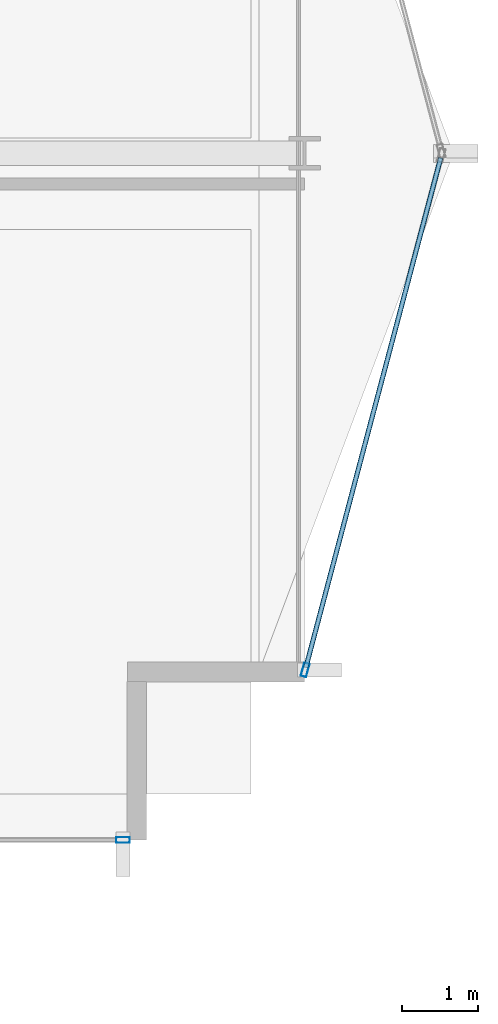
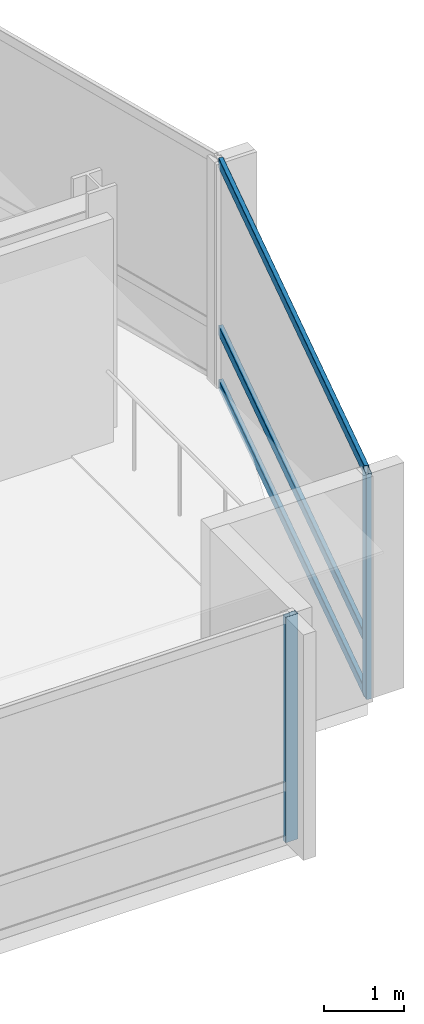
# One storey, part 11 of 28: 5 members, 2 elements without a shape of their own.
"""IFC4 building model written with IfcOpenShell, lengths in metres."""

import ifcopenshell
import ifcopenshell.guid

model = None  # the IFC model being written
_history = None  # IfcOwnerHistory: only IFC2X3 demands one
_inside = {}  # id of a spatial element -> (the spatial element, [elements in it])
_under = {}  # id of a project, library or spatial element -> (it, [spatial elements below it])
_declared = {}  # id of a project -> (the project, [libraries it declares])
_typed = {}  # id of a type object -> (the type object, [elements of that type])
_made_of = {}  # id of a material, layer set ... -> (it, [elements and type objects made of it])


def new_model(schema):
    """Start an empty IFC model of exactly this schema.

    Asked for "IFC4X3", IfcOpenShell would pick the latest addendum, in which some entities
    have other attributes; the version numbers below select the first issue.
    IFC2X3 requires an IfcOwnerHistory on every rooted entity: one is made here for all.
    """
    global model, _history
    if schema == "IFC4X3":
        model = ifcopenshell.file(schema_version=(4, 3, 0, 0))
    else:
        model = ifcopenshell.file(schema=schema)
    _inside.clear()
    _under.clear()
    _declared.clear()
    _typed.clear()
    _made_of.clear()
    _history = None
    if model.schema == "IFC2X3":
        org = make("IfcOrganization", Name="unknown")
        user = make(
            "IfcPersonAndOrganization",
            ThePerson=make("IfcPerson", FamilyName="unknown"),
            TheOrganization=org,
        )
        app = make(
            "IfcApplication",
            ApplicationDeveloper=org,
            Version="unknown",
            ApplicationFullName="unknown",
            ApplicationIdentifier="unknown",
        )
        _history = make(
            "IfcOwnerHistory",
            OwningUser=user,
            OwningApplication=app,
            ChangeAction="ADDED",
            CreationDate=0,
        )
    return model


def make(cls, **values):
    """One entity of the class cls with the attributes given. An attribute that is None is left unset."""
    return model.create_entity(
        cls, **{name: value for name, value in values.items() if value is not None}
    )


def rooted(cls, **values):
    """An entity with a GlobalId (a new one), such as an element, a storey or a relation."""
    return make(cls, GlobalId=ifcopenshell.guid.new(), OwnerHistory=_history, **values)


def si_unit(unit_type, name, prefix=None):
    """IfcSIUnit, for example si_unit("LENGTHUNIT", "METRE", prefix="MILLI")."""
    return make("IfcSIUnit", UnitType=unit_type, Prefix=prefix, Name=name)


def assignment(units):
    """IfcUnitAssignment: the units of a project."""
    return None if units is None else make("IfcUnitAssignment", Units=units)


def point(xyz):
    """IfcCartesianPoint."""
    return None if xyz is None else make("IfcCartesianPoint", Coordinates=xyz)


def direction(xyz):
    """IfcDirection."""
    return None if xyz is None else make("IfcDirection", DirectionRatios=xyz)


def frame(location, z_axis=None, x_axis=None):
    """IfcAxis2Placement3D, a coordinate frame: its origin and axes. An axis left out is left unset."""
    return make(
        "IfcAxis2Placement3D",
        Location=point(location),
        Axis=direction(z_axis),
        RefDirection=direction(x_axis),
    )


def frame_2d(location, x_axis=None):
    """IfcAxis2Placement2D, a coordinate frame in the plane: its origin and x axis."""
    return make(
        "IfcAxis2Placement2D", Location=point(location), RefDirection=direction(x_axis)
    )


def origin():
    """The frame at (0, 0, 0) with its axes left unset."""
    return frame((0.0, 0.0, 0.0))


def origin_2d():
    """The frame at (0, 0) in the plane with its x axis left unset."""
    return frame_2d((0.0, 0.0))


def place(relative_to, where):
    """IfcLocalPlacement: puts the frame where relative to a parent placement (None: the world)."""
    return make(
        "IfcLocalPlacement", PlacementRelTo=relative_to, RelativePlacement=where
    )


def context(
    kind, dimensions, precision=None, world=None, true_north=None, identifier=None
):
    """IfcGeometricRepresentationContext, for example the 3D "Model" context."""
    return make(
        "IfcGeometricRepresentationContext",
        ContextIdentifier=identifier,
        ContextType=kind,
        CoordinateSpaceDimension=dimensions,
        Precision=precision,
        WorldCoordinateSystem=world,
        TrueNorth=true_north,
    )


def subcontext(parent, identifier, kind, view, scale=None):
    """IfcGeometricRepresentationSubContext, for example "Body" below "Model"."""
    return make(
        "IfcGeometricRepresentationSubContext",
        ContextIdentifier=identifier,
        ContextType=kind,
        ParentContext=parent,
        TargetScale=scale,
        TargetView=view,
    )


def project(units=None, contexts=None):
    """IfcProject with its units and contexts."""
    return rooted(
        "IfcProject",
        Name="project",
        RepresentationContexts=contexts,
        UnitsInContext=assignment(units),
    )


def spatial(cls, under=None, at=None, **own):
    """A site, building, storey or space (cls), placed at a placement, below another one or the project."""
    s = rooted(cls, ObjectPlacement=at, **own)
    if under is not None:
        _under.setdefault(under.id(), (under, []))[1].append(s)
    return s


def profile(cls, at=None, kind="AREA", **sizes):
    """A parametric profile (cls). Its sizes go by their IFC names, for example OverallWidth=200.0."""
    return make(cls, ProfileType=kind, Position=at, **sizes)


def hollow_rectangle(**sizes):
    """IfcRectangleHollowProfileDef."""
    return profile("IfcRectangleHollowProfileDef", **sizes)


def extrude(swept, where, along, depth):
    """IfcExtrudedAreaSolid: the profile swept, set in the frame where, extruded along a direction by depth."""
    return make(
        "IfcExtrudedAreaSolid",
        SweptArea=swept,
        Position=where,
        ExtrudedDirection=direction(along),
        Depth=depth,
    )


def shape(context_of_items, identifier, shape_type, items):
    """IfcShapeRepresentation: the items that make up one representation, for example the "Body"."""
    return make(
        "IfcShapeRepresentation",
        ContextOfItems=context_of_items,
        RepresentationIdentifier=identifier,
        RepresentationType=shape_type,
        Items=items,
    )


def material(Name=None, Category=None):
    """IfcMaterial."""
    return make("IfcMaterial", Name=Name, Category=Category)


def layer(
    of_material, thickness, ventilated=None, Name=None, Category=None, Priority=None
):
    """IfcMaterialLayer: one layer of a wall or slab, of a material (None: an air gap)."""
    return make(
        "IfcMaterialLayer",
        Material=of_material,
        LayerThickness=thickness,
        IsVentilated=ventilated,
        Name=Name,
        Category=Category,
        Priority=Priority,
    )


def layer_set(layers, Name=None):
    """IfcMaterialLayerSet."""
    return make("IfcMaterialLayerSet", MaterialLayers=layers, LayerSetName=Name)


def material_profile(
    of_material, cross_section, Name=None, Category=None, Priority=None
):
    """IfcMaterialProfile: a cross section and its material."""
    return make(
        "IfcMaterialProfile",
        Name=Name,
        Material=of_material,
        Profile=cross_section,
        Priority=Priority,
        Category=Category,
    )


def profile_set(profiles, Name=None, composite=None):
    """IfcMaterialProfileSet."""
    return make(
        "IfcMaterialProfileSet",
        Name=Name,
        MaterialProfiles=profiles,
        CompositeProfile=composite,
    )


def made_of(thing, what):
    """Note that an element or type object is made of a material, layer set ...; save() writes the relation."""
    if what is not None:
        _made_of.setdefault(what.id(), (what, []))[1].append(thing)
    return thing


def type_object(cls, material=None, **own):
    """A type object (cls), such as IfcWallType, which elements share."""
    return made_of(rooted(cls, **own), material)


def element(
    cls,
    number,
    at=None,
    inside=None,
    cuts=None,
    type_object=None,
    material=None,
    context=None,
    identifier="Body",
    shape_type=None,
    held_by="IfcProductDefinitionShape",
    body=None,
    shapes=None,
    **own,
):
    """One element of the class cls, such as IfcWall. Its Tag is "e" and its number.

    at: its placement. inside: the storey or other place that contains it. cuts: it is an
    opening in that element (IfcRelVoidsElement). A single representation is given by context,
    identifier, shape_type and body (its items); several are given by shapes. held_by: the class
    of the entity that holds the representations. save() writes the other relations.
    """
    e = rooted(cls, Tag="e%d" % number, ObjectPlacement=at, **own)
    if body is not None:
        shapes = [shape(context, identifier, shape_type, body)]
    if shapes is not None:
        e.Representation = make(held_by, Representations=shapes)
    if inside is not None:
        _inside.setdefault(inside.id(), (inside, []))[1].append(e)
    if cuts is not None:
        rooted(
            "IfcRelVoidsElement", RelatingBuildingElement=cuts, RelatedOpeningElement=e
        )
    if type_object is not None:
        _typed.setdefault(type_object.id(), (type_object, []))[1].append(e)
    return made_of(e, material)


def aggregate(whole, parts):
    """IfcRelAggregates: a whole, such as a stair, and the parts it consists of."""
    return rooted("IfcRelAggregates", RelatingObject=whole, RelatedObjects=parts)


def save(model, path):
    """Write the relations noted so far, then the file.

    IfcRelAggregates (storeys below a building ...), IfcRelContainedInSpatialStructure (elements
    in a storey), IfcRelDefinesByType, IfcRelAssociatesMaterial and IfcRelDeclares: one each for
    every whole, place, type object, material and project.
    """
    for whole, parts in _under.values():
        aggregate(whole, parts)
    for where, things in _inside.values():
        rooted(
            "IfcRelContainedInSpatialStructure",
            RelatedElements=things,
            RelatingStructure=where,
        )
    for kind, things in _typed.values():
        rooted("IfcRelDefinesByType", RelatedObjects=things, RelatingType=kind)
    for what, things in _made_of.values():
        rooted("IfcRelAssociatesMaterial", RelatedObjects=things, RelatingMaterial=what)
    for by, libraries in _declared.values():
        rooted("IfcRelDeclares", RelatingContext=by, RelatedDefinitions=libraries)
    model.write(path)


model = new_model("IFC4")

# Units and contexts
model_context = context("Model", 3, precision=1e-05, world=origin(), true_north=direction((0.0, 1.0)))
body_context = subcontext(model_context, "Body", "Model", "MODEL_VIEW")
ifc_project = project(units=[si_unit("LENGTHUNIT", "METRE"), si_unit("AREAUNIT", "SQUARE_METRE"), si_unit("VOLUMEUNIT", "CUBIC_METRE"), si_unit("PLANEANGLEUNIT", "RADIAN"), si_unit("MASSUNIT", "GRAM", prefix="KILO")], contexts=[model_context])

# Site, building, storey
site_placement = place(None, origin())
site = spatial("IfcSite", under=ifc_project, at=site_placement, CompositionType="ELEMENT")
building_placement = place(site_placement, origin())
building = spatial("IfcBuilding", under=site, at=building_placement, Name="Solvaryn Broadcast Tower", CompositionType="ELEMENT")
storey_placement = place(building_placement, frame((0.0, 0.0, 158.10009765625)))
storey = spatial("IfcBuildingStorey", under=building, at=storey_placement, Name="L39", CompositionType="ELEMENT", Elevation=158.10009765625)

# Curtain wall, member
ifc_material_1 = material(Name="Aluminium and Terracotta Unitised Curtain Wall", Category="masonry")
ifc_layer = layer(ifc_material_1, 0.199951171875)
ifc_layer_set = layer_set([ifc_layer], Name="CW-SYS2-LOWMID")
curtain_wall_type = type_object("IfcCurtainWallType", Name="CW-SYS2-LOWMID", PredefinedType="NOTDEFINED", material=ifc_layer_set)
curtain_wall_1_placement = place(storey_placement, origin())
curtain_wall_1 = element("IfcCurtainWall", 1, at=curtain_wall_1_placement, inside=storey, type_object=curtain_wall_type, Name="L39 Curtain Wall S2", PredefinedType="NOTDEFINED")
ifc_material_2 = material(Name="Anodised Aluminium 6063-T6", Category="aluminium")
ifc_material_profile_1 = material_profile(ifc_material_2, hollow_rectangle(XDim=0.074951171875, YDim=0.179931640625, WallThickness=0.00390625, InnerFilletRadius=0.00390625, OuterFilletRadius=0.008056640625, at=origin_2d()))
ifc_profile_set_1 = profile_set([ifc_material_profile_1], Name="Anodised Aluminium 6063-T6")
member_type_1 = type_object("IfcMemberType", Name="CW-MUL-180", PredefinedType="MULLION", material=ifc_profile_set_1)
member_1_placement = place(storey_placement, frame((51.6201171875, 9.0, 0.0), z_axis=(0.0, 0.0, 1.0), x_axis=(0.0, 1.0, 0.0)))
member_1 = element("IfcMember", 2, at=member_1_placement, type_object=member_type_1, Name="CWS2 mullion 2", PredefinedType="MULLION", context=body_context, shape_type="SweptSolid", body=[
    extrude(hollow_rectangle(XDim=0.074951171875, YDim=0.179931640625, WallThickness=0.00390625, InnerFilletRadius=0.00390625, OuterFilletRadius=0.008056640625, at=origin_2d()), origin(), (0.0, 0.0, 1.0), 3.419921875),
])
aggregate(curtain_wall_1, [member_1])

# Curtain wall, members
curtain_wall_2_placement = place(storey_placement, origin())
curtain_wall_2 = element("IfcCurtainWall", 3, at=curtain_wall_2_placement, inside=storey, type_object=curtain_wall_type, Name="L39 Curtain Wall ET2", PredefinedType="NOTDEFINED")
member_2_placement = place(storey_placement, frame((54.007568359375, 11.22900390625, 0.0), z_axis=(0.0, 0.0, 1.0), x_axis=(0.966705227863, -0.25589256031, 0.0)))
member_2 = element("IfcMember", 4, at=member_2_placement, type_object=member_type_1, Name="CWS2 mullion 2", PredefinedType="MULLION", context=body_context, shape_type="SweptSolid", body=[
    extrude(hollow_rectangle(XDim=0.074951171875, YDim=0.179931640625, WallThickness=0.00390625, InnerFilletRadius=0.00390625, OuterFilletRadius=0.008056640625, at=origin_2d()), origin(), (0.0, 0.0, 1.0), 3.419921875),
])
ifc_material_3 = material(Name="Anodised Aluminium 6063-T6", Category="aluminium")
ifc_material_profile_2 = material_profile(ifc_material_3, hollow_rectangle(XDim=0.06494140625, YDim=0.14990234375, WallThickness=0.00390625, InnerFilletRadius=0.00390625, OuterFilletRadius=0.008056640625, at=origin_2d()))
ifc_profile_set_2 = profile_set([ifc_material_profile_2], Name="Anodised Aluminium 6063-T6")
member_type_2 = type_object("IfcMemberType", Name="CW-TRN-150", PredefinedType="USERDEFINED", material=ifc_profile_set_2)
member_3_placement = place(storey_placement, frame((55.78466796875, 17.94189453125, 0.02978515625), z_axis=(-0.255897413051, -0.966703943301, 0.0), x_axis=(0.966703943301, -0.255897413051, 0.0)))
member_3 = element("IfcMember", 5, at=member_3_placement, type_object=member_type_2, Name="CWS2 transom 1.1", ObjectType="TRANSOM", PredefinedType="USERDEFINED", context=body_context, shape_type="SweptSolid", body=[
    extrude(hollow_rectangle(XDim=0.06494140625, YDim=0.14990234375, WallThickness=0.00390625, InnerFilletRadius=0.00390625, OuterFilletRadius=0.008056640625, at=origin_2d()), origin(), (0.0, 0.0, 1.0), 6.9140625),
])
member_4_placement = place(storey_placement, frame((55.78466796875, 17.94189453125, 0.849853515625), z_axis=(-0.255897413051, -0.966703943301, 0.0), x_axis=(0.966703943301, -0.255897413051, 0.0)))
member_4 = element("IfcMember", 6, at=member_4_placement, type_object=member_type_2, Name="CWS2 transom 1.2", ObjectType="TRANSOM", PredefinedType="USERDEFINED", context=body_context, shape_type="SweptSolid", body=[
    extrude(hollow_rectangle(XDim=0.06494140625, YDim=0.14990234375, WallThickness=0.00390625, InnerFilletRadius=0.00390625, OuterFilletRadius=0.008056640625, at=origin_2d()), origin(), (0.0, 0.0, 1.0), 6.9140625),
])
member_5_placement = place(storey_placement, frame((55.78466796875, 17.94189453125, 3.389892578125), z_axis=(-0.255897413051, -0.966703943301, 0.0), x_axis=(0.966703943301, -0.255897413051, 0.0)))
member_5 = element("IfcMember", 7, at=member_5_placement, type_object=member_type_2, Name="CWS2 transom 1.3", ObjectType="TRANSOM", PredefinedType="USERDEFINED", context=body_context, shape_type="SweptSolid", body=[
    extrude(hollow_rectangle(XDim=0.06494140625, YDim=0.14990234375, WallThickness=0.00390625, InnerFilletRadius=0.00390625, OuterFilletRadius=0.008056640625, at=origin_2d()), origin(), (0.0, 0.0, 1.0), 6.9140625),
])
aggregate(curtain_wall_2, [member_2, member_3, member_4, member_5])

save(model, "model.ifc")
